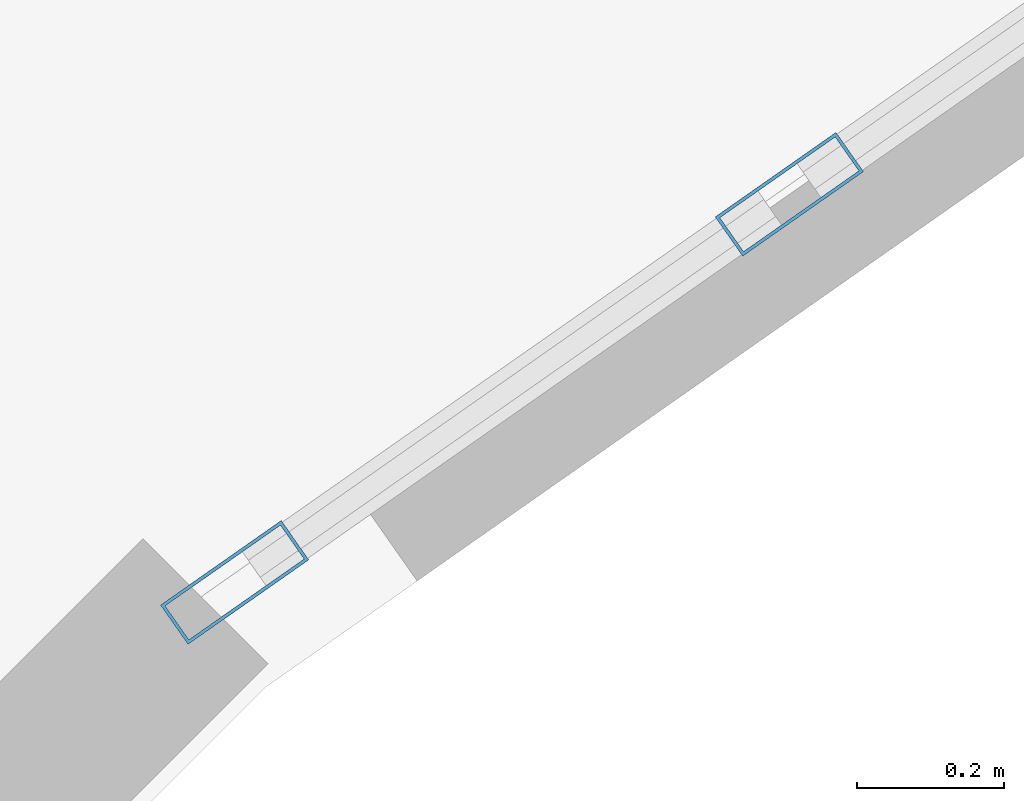
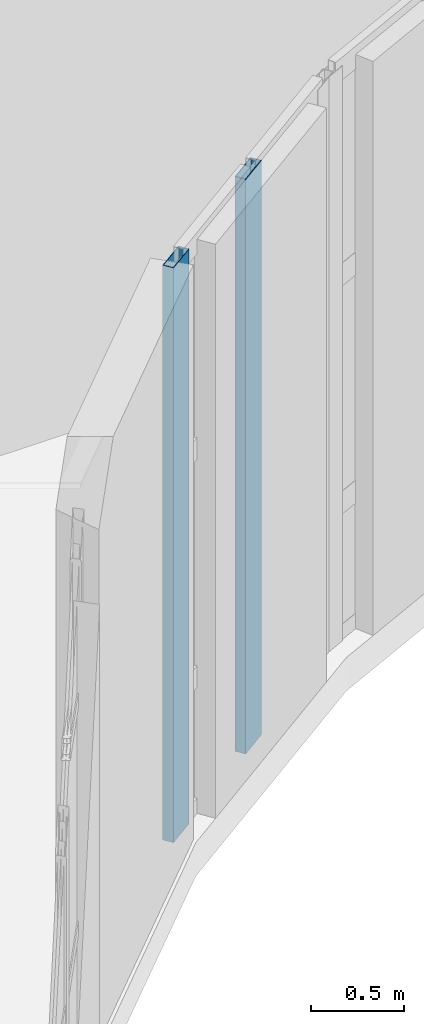
# One storey, part 21 of 92: 2 members, 1 element without a shape of its own.
"""IFC4 building model written with IfcOpenShell, lengths in metres."""

from ifc_helpers import new_model, si_unit, direction, frame, origin, origin_2d, place, context, subcontext, project, spatial, hollow_rectangle, extrude, material, layer, layer_set, material_profile, profile_set, type_object, element, aggregate, save


model = new_model("IFC4")

# Units and contexts
model_context = context("Model", 3, precision=1e-05, world=origin(), true_north=direction((0.0, 1.0)))
body_context = subcontext(model_context, "Body", "Model", "MODEL_VIEW")
ifc_project = project(units=[si_unit("LENGTHUNIT", "METRE"), si_unit("AREAUNIT", "SQUARE_METRE"), si_unit("VOLUMEUNIT", "CUBIC_METRE"), si_unit("PLANEANGLEUNIT", "RADIAN"), si_unit("MASSUNIT", "GRAM", prefix="KILO")], contexts=[model_context])

# Site, building, storey
site_placement = place(None, origin())
site = spatial("IfcSite", under=ifc_project, at=site_placement, CompositionType="ELEMENT")
building_placement = place(site_placement, origin())
building = spatial("IfcBuilding", under=site, at=building_placement, Name="Kelanivale Promenade Academy", CompositionType="ELEMENT")
storey_placement = place(building_placement, frame((0.0, 0.0, 8.199951171875)))
storey = spatial("IfcBuildingStorey", under=building, at=storey_placement, Name="L02", CompositionType="ELEMENT", Elevation=8.199951171875)

# Curtain wall, members
ifc_material_1 = material(Name="Bronze anodised aluminium and solar-control low-E glass", Category="aluminium")
ifc_layer = layer(ifc_material_1, 0.169921875)
ifc_layer_set = layer_set([ifc_layer], Name="Bronze anodised aluminium and solar-control low-E glass")
curtain_wall_type = type_object("IfcCurtainWallType", Name="CW-16 Curtain Wall 1800mm Module", PredefinedType="USERDEFINED", material=ifc_layer_set)
curtain_wall_placement = place(storey_placement, origin())
curtain_wall = element("IfcCurtainWall", 1, at=curtain_wall_placement, inside=storey, type_object=curtain_wall_type, Name="L02 courtyard curtain wall CW-16", ObjectType="COURTYARD SCREEN GLAZING", PredefinedType="USERDEFINED")
ifc_material_2 = material(Name="Bronze anodised aluminium EN AW-6063 T6", Category="aluminium")
ifc_material_profile = material_profile(ifc_material_2, hollow_rectangle(XDim=0.06494140625, YDim=0.199951171875, WallThickness=0.00439453125, at=origin_2d()), Name="ALU 65x200x4.5")
ifc_profile_set = profile_set([ifc_material_profile], Name="Bronze anodised aluminium EN AW-6063 T6")
member_type = type_object("IfcMemberType", Name="CWM-04 ALU 65x200x4.5", PredefinedType="MULLION", material=ifc_profile_set)
member_1_placement = place(storey_placement, frame((57.04052734375, 65.8955078125, 0.0), z_axis=(0.0, 0.0, 1.0), x_axis=(0.573356527561, -0.819305982099, 0.0)))
member_1 = element("IfcMember", 2, at=member_1_placement, type_object=member_type, Name="CW-16 mullion 2", PredefinedType="MULLION", context=body_context, shape_type="SweptSolid", body=[
    extrude(hollow_rectangle(XDim=0.06494140625, YDim=0.199951171875, WallThickness=0.00439453125, at=origin_2d()), origin(), (0.0, 0.0, 1.0), 3.780029296875),
])
member_2_placement = place(storey_placement, frame((56.28759765625, 65.36865234375, 0.0), z_axis=(0.0, 0.0, 1.0), x_axis=(0.573356527561, -0.819305982099, 0.0)))
member_2 = element("IfcMember", 3, at=member_2_placement, type_object=member_type, Name="CW-16 mullion 3", PredefinedType="MULLION", context=body_context, shape_type="SweptSolid", body=[
    extrude(hollow_rectangle(XDim=0.06494140625, YDim=0.199951171875, WallThickness=0.00439453125, at=origin_2d()), origin(), (0.0, 0.0, 1.0), 3.780029296875),
])
aggregate(curtain_wall, [member_1, member_2])

save(model, "model.ifc")
